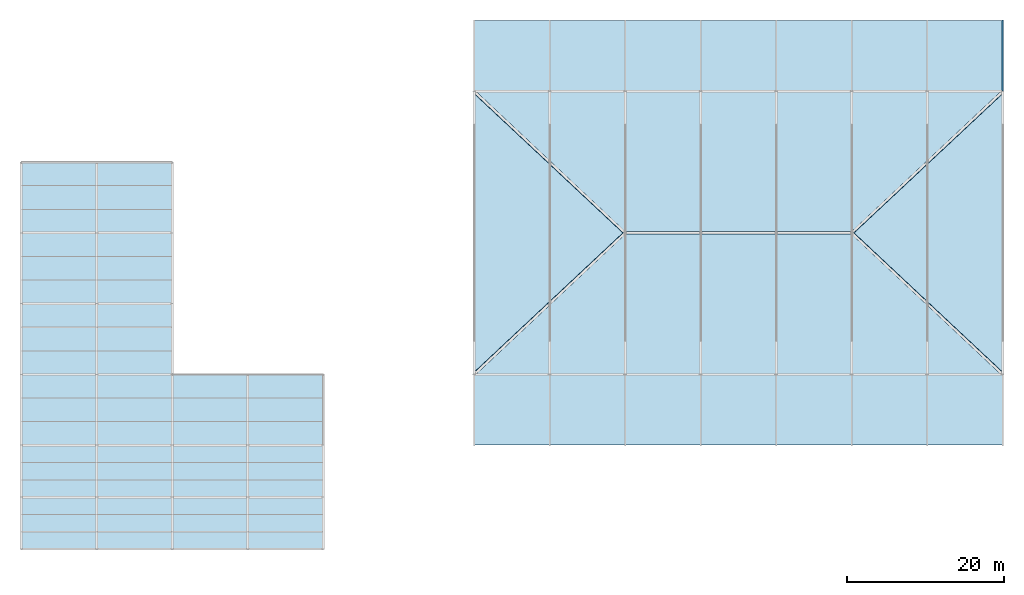
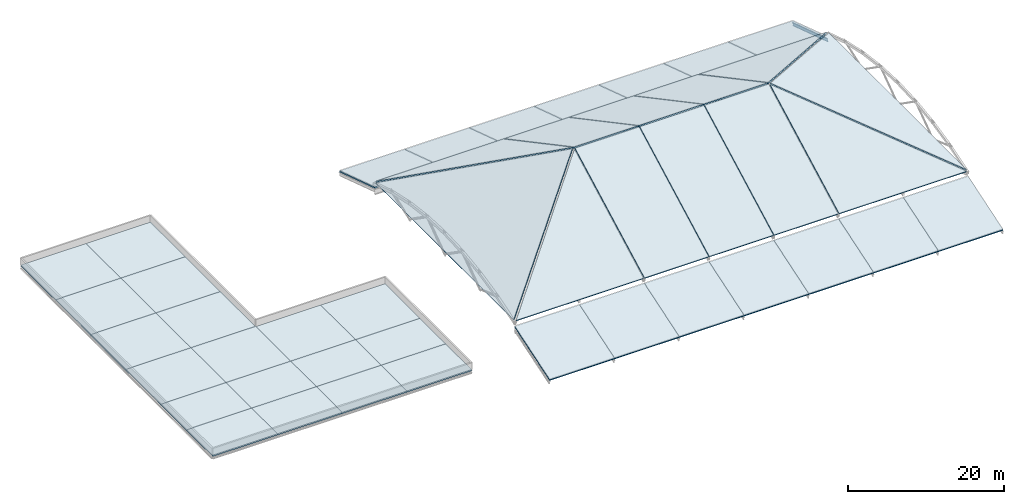
# One storey, part 4 of 16: 44 slabs, 1 beam.
"""IFC4 building model written with IfcOpenShell, lengths in metres."""

from ifc_helpers import new_model, si_unit, direction, frame, origin, origin_2d, place, context, subcontext, project, spatial, polyline, i_section, outline, extrude, material, layer, layer_set, material_profile, profile_set, type_object, element, save


model = new_model("IFC4")

# Units and contexts
model_context = context("Model", 3, precision=1e-05, world=origin(), true_north=direction((0.0, 1.0)))
body_context = subcontext(model_context, "Body", "Model", "MODEL_VIEW")
ifc_project = project(units=[si_unit("LENGTHUNIT", "METRE"), si_unit("AREAUNIT", "SQUARE_METRE"), si_unit("VOLUMEUNIT", "CUBIC_METRE"), si_unit("PLANEANGLEUNIT", "RADIAN"), si_unit("MASSUNIT", "GRAM", prefix="KILO")], contexts=[model_context])

# Site, building, storey
site_placement = place(None, origin())
site = spatial("IfcSite", under=ifc_project, at=site_placement, CompositionType="ELEMENT")
building_placement = place(site_placement, origin())
building = spatial("IfcBuilding", under=site, at=building_placement, Name="Zarnetskaya Central Station", CompositionType="ELEMENT")
storey_placement = place(building_placement, frame((0.0, 0.0, 27.0)))
storey = spatial("IfcBuildingStorey", under=building, at=storey_placement, Name="RF", CompositionType="ELEMENT", Elevation=27.0)

# Beam
ifc_material_1 = material(Name="Steel S355", Category="steel")
ifc_material_profile = material_profile(ifc_material_1, i_section(OverallWidth=0.18994140625, OverallDepth=0.449951171875, WebThickness=0.009521484375, FlangeThickness=0.0146484375, FilletRadius=0.02099609375, at=origin_2d()), Name="IPE 450")
ifc_profile_set = profile_set([ifc_material_profile], Name="Steel S355")
beam_type = type_object("IfcBeamType", Name="BM-EAVE-RAKER", PredefinedType="BEAM", material=ifc_profile_set)
beam_placement = place(storey_placement, frame((124.800048828125, 67.199951171875, -16.85009765625), z_axis=(0.0, -0.951184133272, 0.308623953398), x_axis=(1.0, 0.0, 0.0)))
element("IfcBeam", 1, at=beam_placement, inside=storey, type_object=beam_type, Name="Hall north eave raker P", PredefinedType="BEAM", context=body_context, shape_type="SweptSolid", body=[
    extrude(i_section(OverallWidth=0.18994140625, OverallDepth=0.449951171875, WebThickness=0.009521484375, FlangeThickness=0.0146484375, FilletRadius=0.02099609375, at=origin_2d()), origin(), (0.0, 0.0, 1.0), 9.4619140625),
])

# Slabs
ifc_material_2 = material(Name="Concrete C30/37", Category="concrete")
ifc_layer_1 = layer(ifc_material_2, 0.18994140625, Name="Concrete C30/37", Category="concrete")
ifc_layer_set_1 = layer_set([ifc_layer_1], Name="Concrete C30/37")
slab_type_1 = type_object("IfcSlabType", Name="ROOF-EAVE-190", PredefinedType="ROOF", material=ifc_layer_set_1)
for number, where, z_axis, x_axis, name in (
    (2, (57.60009765625, 13.199951171875, -16.35009765625), (0.0, -0.309020735465, 0.951055300733), (1.0, 0.0, 0.0), "Grand hall 18-deg lower eave roof slab S1"),
    (3, (67.199951171875, 67.199951171875, -16.35009765625), (0.0, 0.309020735465, 0.951055300733), (-1.0, 0.0, 0.0), "Grand hall 18-deg lower eave roof slab N1"),
):
    element("IfcSlab", number, at=place(storey_placement, frame(where, z_axis=z_axis, x_axis=x_axis)), inside=storey, type_object=slab_type_1, Name=name, PredefinedType="ROOF", context=body_context, shape_type="SweptSolid", body=[
        extrude(outline(polyline([(0.0, 0.0), (9.599853515625, 0.0), (9.599853515625, 9.463172113190318), (0.0, 9.463172113190318), (0.0, 0.0)])), origin(), (0.0, 0.0, -1.0), 0.18994140625),
    ])
for number, where, z_axis, x_axis, name in (
    (4, (67.199951171875, 13.199951171875, -16.35009765625), (0.0, -0.309020735465, 0.951055300733), (1.0, 0.0, 0.0), "Grand hall 18-deg lower eave roof slab S2"),
    (5, (76.800048828125, 67.199951171875, -16.35009765625), (0.0, 0.309020735465, 0.951055300733), (-1.0, 0.0, 0.0), "Grand hall 18-deg lower eave roof slab N2"),
):
    element("IfcSlab", number, at=place(storey_placement, frame(where, z_axis=z_axis, x_axis=x_axis)), inside=storey, type_object=slab_type_1, Name=name, PredefinedType="ROOF", context=body_context, shape_type="SweptSolid", body=[
        extrude(outline(polyline([(0.0, 0.0), (9.60009765625, 0.0), (9.60009765625, 9.463172113190318), (0.0, 9.463172113190318), (0.0, 0.0)])), origin(), (0.0, 0.0, -1.0), 0.18994140625),
    ])
for number, where, z_axis, x_axis, name in (
    (6, (76.800048828125, 13.199951171875, -16.35009765625), (0.0, -0.309020735465, 0.951055300733), (1.0, 0.0, 0.0), "Grand hall 18-deg lower eave roof slab S3"),
    (7, (86.39990234375, 67.199951171875, -16.35009765625), (0.0, 0.309020735465, 0.951055300733), (-1.0, 0.0, 0.0), "Grand hall 18-deg lower eave roof slab N3"),
):
    element("IfcSlab", number, at=place(storey_placement, frame(where, z_axis=z_axis, x_axis=x_axis)), inside=storey, type_object=slab_type_1, Name=name, PredefinedType="ROOF", context=body_context, shape_type="SweptSolid", body=[
        extrude(outline(polyline([(0.0, 0.0), (9.599853515625, 0.0), (9.599853515625, 9.463172113190318), (0.0, 9.463172113190318), (0.0, 0.0)])), origin(), (0.0, 0.0, -1.0), 0.18994140625),
    ])
for number, where, z_axis, x_axis, name in (
    (8, (86.39990234375, 13.199951171875, -16.35009765625), (0.0, -0.309020735465, 0.951055300733), (1.0, 0.0, 0.0), "Grand hall 18-deg lower eave roof slab S4"),
    (9, (96.0, 67.199951171875, -16.35009765625), (0.0, 0.309020735465, 0.951055300733), (-1.0, 0.0, 0.0), "Grand hall 18-deg lower eave roof slab N4"),
    (10, (96.0, 13.199951171875, -16.35009765625), (0.0, -0.309020735465, 0.951055300733), (1.0, 0.0, 0.0), "Grand hall 18-deg lower eave roof slab S5"),
    (11, (105.60009765625, 67.199951171875, -16.35009765625), (0.0, 0.309020735465, 0.951055300733), (-1.0, 0.0, 0.0), "Grand hall 18-deg lower eave roof slab N5"),
):
    element("IfcSlab", number, at=place(storey_placement, frame(where, z_axis=z_axis, x_axis=x_axis)), inside=storey, type_object=slab_type_1, Name=name, PredefinedType="ROOF", context=body_context, shape_type="SweptSolid", body=[
        extrude(outline(polyline([(0.0, 0.0), (9.60009765625, 0.0), (9.60009765625, 9.463172113190318), (0.0, 9.463172113190318), (0.0, 0.0)])), origin(), (0.0, 0.0, -1.0), 0.18994140625),
    ])
for number, where, z_axis, x_axis, name in (
    (12, (105.60009765625, 13.199951171875, -16.35009765625), (0.0, -0.309020735465, 0.951055300733), (1.0, 0.0, 0.0), "Grand hall 18-deg lower eave roof slab S6"),
    (13, (115.199951171875, 67.199951171875, -16.35009765625), (0.0, 0.309020735465, 0.951055300733), (-1.0, 0.0, 0.0), "Grand hall 18-deg lower eave roof slab N6"),
):
    element("IfcSlab", number, at=place(storey_placement, frame(where, z_axis=z_axis, x_axis=x_axis)), inside=storey, type_object=slab_type_1, Name=name, PredefinedType="ROOF", context=body_context, shape_type="SweptSolid", body=[
        extrude(outline(polyline([(0.0, 0.0), (9.599853515625, 0.0), (9.599853515625, 9.463172113190318), (0.0, 9.463172113190318), (0.0, 0.0)])), origin(), (0.0, 0.0, -1.0), 0.18994140625),
    ])
for number, where, z_axis, x_axis, name in (
    (14, (115.199951171875, 13.199951171875, -16.35009765625), (0.0, -0.309020735465, 0.951055300733), (1.0, 0.0, 0.0), "Grand hall 18-deg lower eave roof slab S7"),
    (15, (124.800048828125, 67.199951171875, -16.35009765625), (0.0, 0.309020735465, 0.951055300733), (-1.0, 0.0, 0.0), "Grand hall 18-deg lower eave roof slab N7"),
):
    element("IfcSlab", number, at=place(storey_placement, frame(where, z_axis=z_axis, x_axis=x_axis)), inside=storey, type_object=slab_type_1, Name=name, PredefinedType="ROOF", context=body_context, shape_type="SweptSolid", body=[
        extrude(outline(polyline([(0.0, 0.0), (9.60009765625, 0.0), (9.60009765625, 9.463172113190318), (0.0, 9.463172113190318), (0.0, 0.0)])), origin(), (0.0, 0.0, -1.0), 0.18994140625),
    ])
ifc_layer_2 = layer(ifc_material_2, 0.2099609375, Name="Concrete C30/37", Category="concrete")
ifc_layer_set_2 = layer_set([ifc_layer_2], Name="Concrete C30/37")
slab_type_2 = type_object("IfcSlabType", Name="ROOF-FLAT-210", PredefinedType="ROOF", material=ifc_layer_set_2)
slab_1_placement = place(storey_placement, frame((0.0, 0.0, -0.2099609375)))
element("IfcSlab", 16, at=slab_1_placement, inside=storey, type_object=slab_type_2, Name="RF slab A-B/1-2", PredefinedType="ROOF", context=body_context, shape_type="SweptSolid", body=[
    extrude(outline(polyline([(0.0, 0.0), (9.60009765625, 0.0), (9.60009765625, 6.60009765625), (0.0, 6.60009765625), (0.0, 0.0)])), origin(), (0.0, 0.0, 1.0), 0.2099609375),
])
slab_2_placement = place(storey_placement, frame((0.0, 0.0, -0.2099609375)))
element("IfcSlab", 17, at=slab_2_placement, inside=storey, type_object=slab_type_2, Name="RF slab A-B/2-3", PredefinedType="ROOF", context=body_context, shape_type="SweptSolid", body=[
    extrude(outline(polyline([(0.0, 6.60009765625), (9.60009765625, 6.60009765625), (9.60009765625, 13.199951171875), (0.0, 13.199951171875), (0.0, 6.60009765625)])), origin(), (0.0, 0.0, 1.0), 0.2099609375),
])
slab_3_placement = place(storey_placement, frame((0.0, 0.0, -0.2099609375)))
element("IfcSlab", 18, at=slab_3_placement, inside=storey, type_object=slab_type_2, Name="RF slab A-B/3-4", PredefinedType="ROOF", context=body_context, shape_type="SweptSolid", body=[
    extrude(outline(polyline([(0.0, 13.199951171875), (9.60009765625, 13.199951171875), (9.60009765625, 22.199951171875), (0.0, 22.199951171875), (0.0, 13.199951171875)])), origin(), (0.0, 0.0, 1.0), 0.2099609375),
])
slab_4_placement = place(storey_placement, frame((0.0, 0.0, -0.2099609375)))
element("IfcSlab", 19, at=slab_4_placement, inside=storey, type_object=slab_type_2, Name="RF slab A-B/4-5", PredefinedType="ROOF", context=body_context, shape_type="SweptSolid", body=[
    extrude(outline(polyline([(0.0, 22.199951171875), (9.60009765625, 22.199951171875), (9.60009765625, 31.199951171875), (0.0, 31.199951171875), (0.0, 22.199951171875)])), origin(), (0.0, 0.0, 1.0), 0.2099609375),
])
slab_5_placement = place(storey_placement, frame((0.0, 0.0, -0.2099609375)))
element("IfcSlab", 20, at=slab_5_placement, inside=storey, type_object=slab_type_2, Name="RF slab A-B/5-6", PredefinedType="ROOF", context=body_context, shape_type="SweptSolid", body=[
    extrude(outline(polyline([(0.0, 31.199951171875), (9.60009765625, 31.199951171875), (9.60009765625, 40.199951171875), (0.0, 40.199951171875), (0.0, 31.199951171875)])), origin(), (0.0, 0.0, 1.0), 0.2099609375),
])
slab_6_placement = place(storey_placement, frame((0.0, 0.0, -0.2099609375)))
element("IfcSlab", 21, at=slab_6_placement, inside=storey, type_object=slab_type_2, Name="RF slab A-B/6-7", PredefinedType="ROOF", context=body_context, shape_type="SweptSolid", body=[
    extrude(outline(polyline([(0.0, 40.199951171875), (9.60009765625, 40.199951171875), (9.60009765625, 49.199951171875), (0.0, 49.199951171875), (0.0, 40.199951171875)])), origin(), (0.0, 0.0, 1.0), 0.2099609375),
])
slab_7_placement = place(storey_placement, frame((0.0, 0.0, -0.2099609375)))
element("IfcSlab", 22, at=slab_7_placement, inside=storey, type_object=slab_type_2, Name="RF slab B-C/1-2", PredefinedType="ROOF", context=body_context, shape_type="SweptSolid", body=[
    extrude(outline(polyline([(9.60009765625, 0.0), (19.199951171875, 0.0), (19.199951171875, 6.60009765625), (9.60009765625, 6.60009765625), (9.60009765625, 0.0)])), origin(), (0.0, 0.0, 1.0), 0.2099609375),
])
slab_8_placement = place(storey_placement, frame((0.0, 0.0, -0.2099609375)))
element("IfcSlab", 23, at=slab_8_placement, inside=storey, type_object=slab_type_2, Name="RF slab B-C/2-3", PredefinedType="ROOF", context=body_context, shape_type="SweptSolid", body=[
    extrude(outline(polyline([(9.60009765625, 6.60009765625), (19.199951171875, 6.60009765625), (19.199951171875, 13.199951171875), (9.60009765625, 13.199951171875), (9.60009765625, 6.60009765625)])), origin(), (0.0, 0.0, 1.0), 0.2099609375),
])
slab_9_placement = place(storey_placement, frame((0.0, 0.0, -0.2099609375)))
element("IfcSlab", 24, at=slab_9_placement, inside=storey, type_object=slab_type_2, Name="RF slab B-C/3-4", PredefinedType="ROOF", context=body_context, shape_type="SweptSolid", body=[
    extrude(outline(polyline([(9.60009765625, 13.199951171875), (19.199951171875, 13.199951171875), (19.199951171875, 22.199951171875), (9.60009765625, 22.199951171875), (9.60009765625, 13.199951171875)])), origin(), (0.0, 0.0, 1.0), 0.2099609375),
])
slab_10_placement = place(storey_placement, frame((0.0, 0.0, -0.2099609375)))
element("IfcSlab", 25, at=slab_10_placement, inside=storey, type_object=slab_type_2, Name="RF slab B-C/4-5", PredefinedType="ROOF", context=body_context, shape_type="SweptSolid", body=[
    extrude(outline(polyline([(9.60009765625, 22.199951171875), (19.199951171875, 22.199951171875), (19.199951171875, 31.199951171875), (9.60009765625, 31.199951171875), (9.60009765625, 22.199951171875)])), origin(), (0.0, 0.0, 1.0), 0.2099609375),
])
slab_11_placement = place(storey_placement, frame((0.0, 0.0, -0.2099609375)))
element("IfcSlab", 26, at=slab_11_placement, inside=storey, type_object=slab_type_2, Name="RF slab B-C/5-6", PredefinedType="ROOF", context=body_context, shape_type="SweptSolid", body=[
    extrude(outline(polyline([(9.60009765625, 31.199951171875), (19.199951171875, 31.199951171875), (19.199951171875, 40.199951171875), (9.60009765625, 40.199951171875), (9.60009765625, 31.199951171875)])), origin(), (0.0, 0.0, 1.0), 0.2099609375),
])
slab_12_placement = place(storey_placement, frame((0.0, 0.0, -0.2099609375)))
element("IfcSlab", 27, at=slab_12_placement, inside=storey, type_object=slab_type_2, Name="RF slab B-C/6-7", PredefinedType="ROOF", context=body_context, shape_type="SweptSolid", body=[
    extrude(outline(polyline([(9.60009765625, 40.199951171875), (19.199951171875, 40.199951171875), (19.199951171875, 49.199951171875), (9.60009765625, 49.199951171875), (9.60009765625, 40.199951171875)])), origin(), (0.0, 0.0, 1.0), 0.2099609375),
])
slab_13_placement = place(storey_placement, frame((0.0, 0.0, -0.2099609375)))
element("IfcSlab", 28, at=slab_13_placement, inside=storey, type_object=slab_type_2, Name="RF slab C-D/1-2", PredefinedType="ROOF", context=body_context, shape_type="SweptSolid", body=[
    extrude(outline(polyline([(19.199951171875, 0.0), (28.800048828125, 0.0), (28.800048828125, 6.60009765625), (19.199951171875, 6.60009765625), (19.199951171875, 0.0)])), origin(), (0.0, 0.0, 1.0), 0.2099609375),
])
slab_14_placement = place(storey_placement, frame((0.0, 0.0, -0.2099609375)))
element("IfcSlab", 29, at=slab_14_placement, inside=storey, type_object=slab_type_2, Name="RF slab C-D/2-3", PredefinedType="ROOF", context=body_context, shape_type="SweptSolid", body=[
    extrude(outline(polyline([(19.199951171875, 6.60009765625), (28.800048828125, 6.60009765625), (28.800048828125, 13.199951171875), (19.199951171875, 13.199951171875), (19.199951171875, 6.60009765625)])), origin(), (0.0, 0.0, 1.0), 0.2099609375),
])
slab_15_placement = place(storey_placement, frame((0.0, 0.0, -0.2099609375)))
element("IfcSlab", 30, at=slab_15_placement, inside=storey, type_object=slab_type_2, Name="RF slab C-D/3-4", PredefinedType="ROOF", context=body_context, shape_type="SweptSolid", body=[
    extrude(outline(polyline([(19.199951171875, 13.199951171875), (28.800048828125, 13.199951171875), (28.800048828125, 22.199951171875), (19.199951171875, 22.199951171875), (19.199951171875, 13.199951171875)])), origin(), (0.0, 0.0, 1.0), 0.2099609375),
])
slab_16_placement = place(storey_placement, frame((0.0, 0.0, -0.2099609375)))
element("IfcSlab", 31, at=slab_16_placement, inside=storey, type_object=slab_type_2, Name="RF slab D-E/1-2", PredefinedType="ROOF", context=body_context, shape_type="SweptSolid", body=[
    extrude(outline(polyline([(28.800048828125, 0.0), (38.39990234375, 0.0), (38.39990234375, 6.60009765625), (28.800048828125, 6.60009765625), (28.800048828125, 0.0)])), origin(), (0.0, 0.0, 1.0), 0.2099609375),
])
slab_17_placement = place(storey_placement, frame((0.0, 0.0, -0.2099609375)))
element("IfcSlab", 32, at=slab_17_placement, inside=storey, type_object=slab_type_2, Name="RF slab D-E/2-3", PredefinedType="ROOF", context=body_context, shape_type="SweptSolid", body=[
    extrude(outline(polyline([(28.800048828125, 6.60009765625), (38.39990234375, 6.60009765625), (38.39990234375, 13.199951171875), (28.800048828125, 13.199951171875), (28.800048828125, 6.60009765625)])), origin(), (0.0, 0.0, 1.0), 0.2099609375),
])
slab_18_placement = place(storey_placement, frame((0.0, 0.0, -0.2099609375)))
element("IfcSlab", 33, at=slab_18_placement, inside=storey, type_object=slab_type_2, Name="RF slab D-E/3-4", PredefinedType="ROOF", context=body_context, shape_type="SweptSolid", body=[
    extrude(outline(polyline([(28.800048828125, 13.199951171875), (38.39990234375, 13.199951171875), (38.39990234375, 22.199951171875), (28.800048828125, 22.199951171875), (28.800048828125, 13.199951171875)])), origin(), (0.0, 0.0, 1.0), 0.2099609375),
])
ifc_layer_3 = layer(ifc_material_2, 0.179931640625, Name="Concrete C30/37", Category="concrete")
ifc_layer_set_3 = layer_set([ifc_layer_3], Name="Concrete C30/37")
slab_type_3 = type_object("IfcSlabType", Name="ROOF-HIP-180", PredefinedType="ROOF", material=ifc_layer_set_3)
for number, where, z_axis, x_axis, name in (
    (34, (76.85009765625, 22.199951171875, -12.60009765625), (0.0, -0.47058698254, 0.882353609311), (1.0, 0.0, 0.0), "Grand hall steep pyramid-hip roof facet HIP-S-JK"),
    (35, (86.449951171875, 22.199951171875, -12.60009765625), (0.0, -0.47058698254, 0.882353609311), (1.0, 0.0, 0.0), "Grand hall steep pyramid-hip roof facet HIP-S-KL"),
    (36, (96.050048828125, 22.199951171875, -12.60009765625), (0.0, -0.47058698254, 0.882353609311), (1.0, 0.0, 0.0), "Grand hall steep pyramid-hip roof facet HIP-S-LM"),
):
    element("IfcSlab", number, at=place(storey_placement, frame(where, z_axis=z_axis, x_axis=x_axis)), inside=storey, type_object=slab_type_3, Name=name, PredefinedType="ROOF", context=body_context, shape_type="SweptSolid", body=[
        extrude(outline(polyline([(0.0, 0.0), (9.5, 0.0), (9.5, 20.230095358476273), (0.0, 20.230095358476273), (0.0, 0.0)])), origin(), (0.0, 0.0, -1.0), 0.179931640625),
    ])
for number, where, z_axis, x_axis, name in (
    (37, (86.35009765625, 58.199951171875, -12.60009765625), (0.0, 0.47059199359, 0.882350936742), (-1.0, 0.0, 0.0), "Grand hall steep pyramid-hip roof facet HIP-N-JK"),
    (38, (95.949951171875, 58.199951171875, -12.60009765625), (0.0, 0.47059199359, 0.882350936742), (-1.0, 0.0, 0.0), "Grand hall steep pyramid-hip roof facet HIP-N-KL"),
    (39, (105.550048828125, 58.199951171875, -12.60009765625), (0.0, 0.47059199359, 0.882350936742), (-1.0, 0.0, 0.0), "Grand hall steep pyramid-hip roof facet HIP-N-LM"),
):
    element("IfcSlab", number, at=place(storey_placement, frame(where, z_axis=z_axis, x_axis=x_axis)), inside=storey, type_object=slab_type_3, Name=name, PredefinedType="ROOF", context=body_context, shape_type="SweptSolid", body=[
        extrude(outline(polyline([(0.0, 0.0), (9.5, 0.0), (9.5, 20.229879940440863), (0.0, 20.229879940440863), (0.0, 0.0)])), origin(), (0.0, 0.0, -1.0), 0.179931640625),
    ])
slab_19_placement = place(storey_placement, frame((57.800048828125, 22.199951171875, -12.60009765625), z_axis=(0.0, -0.470725538244, 0.882279699214), x_axis=(1.0, 0.0, 0.0)))
element("IfcSlab", 40, at=slab_19_placement, inside=storey, type_object=slab_type_3, Name="Grand hall steep pyramid-hip roof facet HIP-SW-GT", PredefinedType="ROOF", context=body_context, shape_type="SweptSolid", body=[
    extrude(outline(polyline([(0.0, 0.0), (18.89990234375, 0.0), (18.89990234375, 20.118336640656523), (0.0, 0.0)])), origin(), (0.0, 0.0, -1.0), 0.179931640625),
])
slab_20_placement = place(storey_placement, frame((76.699951171875, 58.199951171875, -12.60009765625), z_axis=(0.0, 0.470725538244, 0.882279699214), x_axis=(-1.0, 0.0, 0.0)))
element("IfcSlab", 41, at=slab_20_placement, inside=storey, type_object=slab_type_3, Name="Grand hall steep pyramid-hip roof facet HIP-NW-GT", PredefinedType="ROOF", context=body_context, shape_type="SweptSolid", body=[
    extrude(outline(polyline([(0.0, 0.0), (18.89990234375, 0.0), (0.0, 20.118336640656523), (0.0, 0.0)])), origin(), (0.0, 0.0, -1.0), 0.179931640625),
])
slab_21_placement = place(storey_placement, frame((57.60009765625, 57.89990234375, -12.60009765625), z_axis=(-0.447222838482, 0.0, 0.894422569449), x_axis=(0.0, -1.0, 0.0)))
element("IfcSlab", 42, at=slab_21_placement, inside=storey, type_object=slab_type_3, Name="Grand hall steep pyramid-hip roof facet HIP-W-END", PredefinedType="ROOF", context=body_context, shape_type="SweptSolid", body=[
    extrude(outline(polyline([(0.0, 0.0), (35.39990234375, 0.0), (17.699951171875, 21.130842388501307), (0.0, 0.0)])), origin(), (0.0, 0.0, -1.0), 0.179931640625),
])
slab_22_placement = place(storey_placement, frame((105.699951171875, 22.199951171875, -12.60009765625), z_axis=(0.0, -0.470725538244, 0.882279699214), x_axis=(1.0, 0.0, 0.0)))
element("IfcSlab", 43, at=slab_22_placement, inside=storey, type_object=slab_type_3, Name="Grand hall steep pyramid-hip roof facet HIP-SE-GT", PredefinedType="ROOF", context=body_context, shape_type="SweptSolid", body=[
    extrude(outline(polyline([(0.0, 0.0), (18.900146484375, 0.0), (0.0, 20.118336640656523), (0.0, 0.0)])), origin(), (0.0, 0.0, -1.0), 0.179931640625),
])
slab_23_placement = place(storey_placement, frame((124.60009765625, 58.199951171875, -12.60009765625), z_axis=(0.0, 0.470725538244, 0.882279699214), x_axis=(-1.0, 0.0, 0.0)))
element("IfcSlab", 44, at=slab_23_placement, inside=storey, type_object=slab_type_3, Name="Grand hall steep pyramid-hip roof facet HIP-NE-GT", PredefinedType="ROOF", context=body_context, shape_type="SweptSolid", body=[
    extrude(outline(polyline([(0.0, 0.0), (18.900146484375, 0.0), (18.900146484375, 20.118336640656523), (0.0, 0.0)])), origin(), (0.0, 0.0, -1.0), 0.179931640625),
])
slab_24_placement = place(storey_placement, frame((124.800048828125, 22.5, -12.60009765625), z_axis=(0.447218216949, 0.0, 0.89442488026), x_axis=(0.0, 1.0, 0.0)))
element("IfcSlab", 45, at=slab_24_placement, inside=storey, type_object=slab_type_3, Name="Grand hall steep pyramid-hip roof facet HIP-E-END", PredefinedType="ROOF", context=body_context, shape_type="SweptSolid", body=[
    extrude(outline(polyline([(0.0, 0.0), (35.39990234375, 0.0), (17.699951171875, 21.13106075366851), (0.0, 0.0)])), origin(), (0.0, 0.0, -1.0), 0.179931640625),
])

save(model, "model.ifc")
